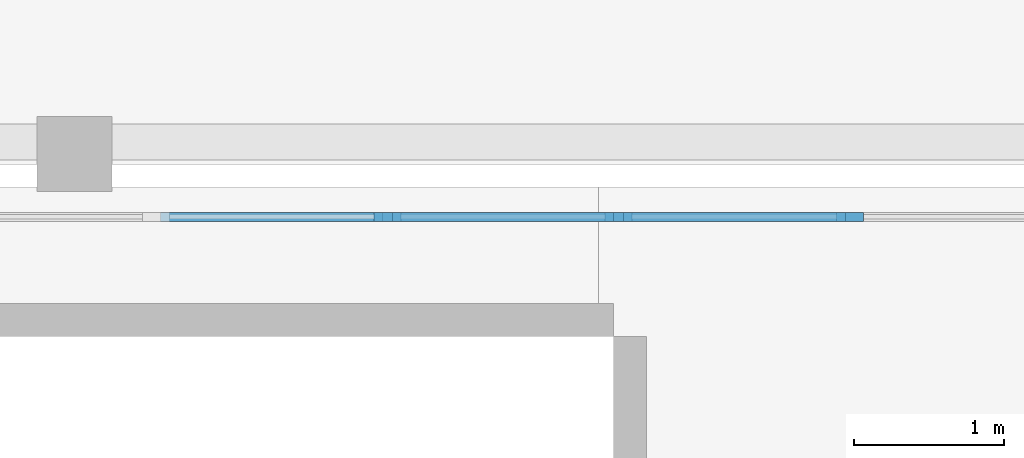
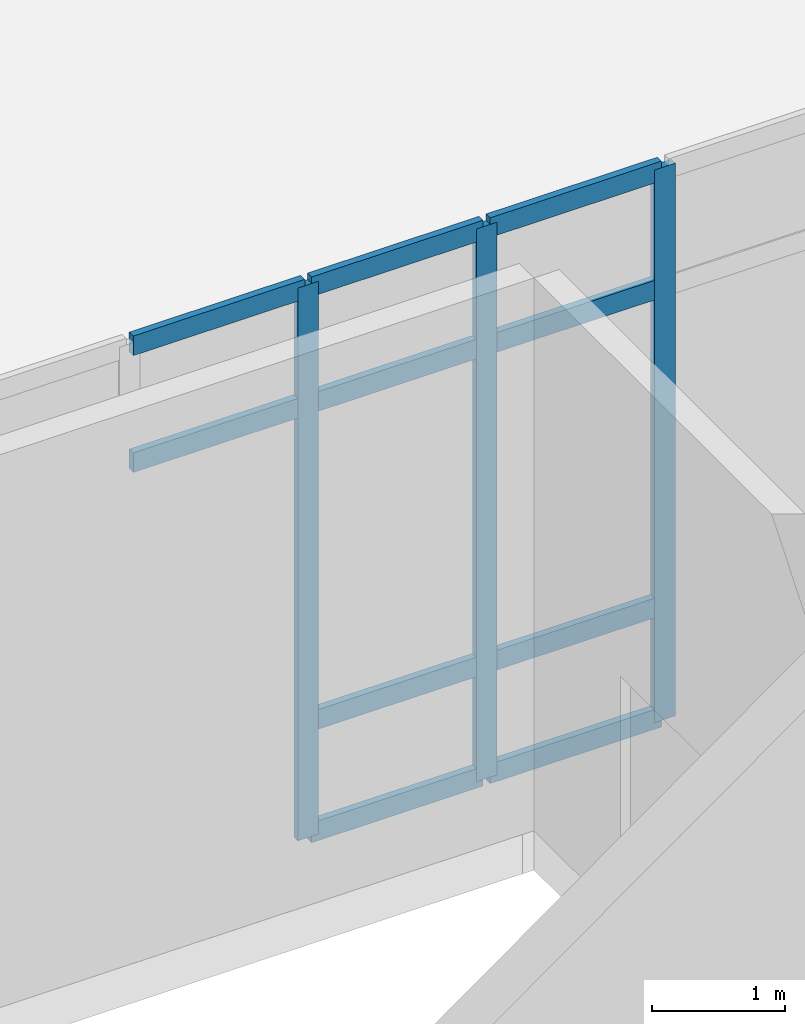
# One storey, part 24 of 55: 13 members, 1 element without a shape of its own.
"""IFC4 building model written with IfcOpenShell, lengths in metres."""

from ifc_helpers import new_model, si_unit, derived_unit, direction, frame, origin, origin_2d, place, context, subcontext, project, spatial, rectangle, extrude, material, layer, layer_set, material_profile, profile_set, type_object, element, aggregate, save


model = new_model("IFC4")

# Units and contexts
model_context = context("Model", 3, precision=1e-05, world=origin(), true_north=direction((0.0, 1.0)))
body_context = subcontext(model_context, "Body", "Model", "MODEL_VIEW")
ifc_project = project(units=[si_unit("LENGTHUNIT", "METRE"), si_unit("AREAUNIT", "SQUARE_METRE"), si_unit("VOLUMEUNIT", "CUBIC_METRE"), si_unit("PLANEANGLEUNIT", "RADIAN"), si_unit("MASSUNIT", "GRAM", prefix="KILO"), derived_unit("THERMALTRANSMITTANCEUNIT", [(si_unit("MASSUNIT", "GRAM", prefix="KILO"), 1), (si_unit("TIMEUNIT", "SECOND"), -3), (si_unit("THERMODYNAMICTEMPERATUREUNIT", "KELVIN"), -1)])], contexts=[model_context])

# Site, building, storey
site_placement = place(None, origin())
site = spatial("IfcSite", under=ifc_project, at=site_placement, CompositionType="ELEMENT")
building_placement = place(site_placement, origin())
building = spatial("IfcBuilding", under=site, at=building_placement, Name="Valcora Ridge Arena", CompositionType="ELEMENT")
storey_placement = place(building_placement, frame((0.0, 0.0, 21.0)))
storey = spatial("IfcBuildingStorey", under=building, at=storey_placement, Name="L04", CompositionType="ELEMENT", Elevation=21.0)

# Curtain wall, members
ifc_material = material(Name="Anodised dark bronze architectural aluminium 6063-T6", Category="aluminium")
ifc_layer = layer(ifc_material, 0.179931640625, Name="Anodised dark bronze architectural aluminium 6063-T6")
ifc_layer_set = layer_set([ifc_layer], Name="Anodised dark bronze architectural aluminium 6063-T6")
curtain_wall_type = type_object("IfcCurtainWallType", Name="TY-CURTAINWALL-CW-V1-GOTH-247X51", PredefinedType="NOTDEFINED", material=ifc_layer_set)
curtain_wall_placement = place(storey_placement, origin())
curtain_wall = element("IfcCurtainWall", 1, at=curtain_wall_placement, inside=storey, type_object=curtain_wall_type, Name="CW-V1-GOTH-247X51 CW-0159", PredefinedType="NOTDEFINED")
ifc_material_profile_1 = material_profile(ifc_material, rectangle(XDim=0.06005859375, YDim=0.179931640625, at=origin_2d()), Name="ALU MULLION 60x180")
ifc_profile_set_1 = profile_set([ifc_material_profile_1], Name="Anodised dark bronze architectural aluminium 6063-T6")
member_type_1 = type_object("IfcMemberType", Name="TY-MEM-CWM-60x180", PredefinedType="MULLION", material=ifc_profile_set_1)
member_1_placement = place(storey_placement, frame((60.090087890625, 108.0, 0.0), z_axis=(0.0, 0.0, 1.0), x_axis=(0.0, 1.0, 0.0)))
member_1 = element("IfcMember", 2, at=member_1_placement, type_object=member_type_1, Name="CW-0159/CWM-60x180/M10", PredefinedType="MULLION", context=body_context, shape_type="SweptSolid", body=[
    extrude(rectangle(XDim=0.06005859375, YDim=0.179931640625, at=origin_2d()), origin(), (0.0, 0.0, 1.0), 5.06005859375),
])
member_2_placement = place(storey_placement, frame((61.635009765625, 108.0, 0.0), z_axis=(0.0, 0.0, 1.0), x_axis=(0.0, 1.0, 0.0)))
member_2 = element("IfcMember", 3, at=member_2_placement, type_object=member_type_1, Name="CW-0159/CWM-60x180/M11", PredefinedType="MULLION", context=body_context, shape_type="SweptSolid", body=[
    extrude(rectangle(XDim=0.06005859375, YDim=0.179931640625, at=origin_2d()), origin(), (0.0, 0.0, 1.0), 5.06005859375),
])
member_3_placement = place(storey_placement, frame((63.179931640625, 108.0, 0.0), z_axis=(0.0, 0.0, 1.0), x_axis=(0.0, 1.0, 0.0)))
member_3 = element("IfcMember", 4, at=member_3_placement, type_object=member_type_1, Name="CW-0159/CWM-60x180/M12", PredefinedType="MULLION", context=body_context, shape_type="SweptSolid", body=[
    extrude(rectangle(XDim=0.06005859375, YDim=0.179931640625, at=origin_2d()), origin(), (0.0, 0.0, 1.0), 5.06005859375),
])
ifc_material_profile_2 = material_profile(ifc_material, rectangle(XDim=0.06005859375, YDim=0.179931640625, at=origin_2d()), Name="ALU TRANSOM 60x180")
ifc_profile_set_2 = profile_set([ifc_material_profile_2], Name="Anodised dark bronze architectural aluminium 6063-T6")
member_type_2 = type_object("IfcMemberType", Name="TY-MEM-CWT-60x180", PredefinedType="USERDEFINED", material=ifc_profile_set_2)
member_4_placement = place(storey_placement, frame((58.574951171875, 108.0, 3.9599609375), z_axis=(1.0, 0.0, 0.0), x_axis=(0.0, 1.0, 0.0)))
member_4 = element("IfcMember", 5, at=member_4_placement, type_object=member_type_2, Name="CW-0159/CWT-60x180/T09-02", ObjectType="TRANSOM", PredefinedType="USERDEFINED", context=body_context, shape_type="SweptSolid", body=[
    extrude(rectangle(XDim=0.06005859375, YDim=0.179931640625, at=origin_2d()), origin(), (0.0, 0.0, 1.0), 1.485107421875),
])
member_5_placement = place(storey_placement, frame((58.574951171875, 108.0, 5.030029296875), z_axis=(1.0, 0.0, 0.0), x_axis=(0.0, 1.0, 0.0)))
member_5 = element("IfcMember", 6, at=member_5_placement, type_object=member_type_2, Name="CW-0159/CWT-60x180/T09-03", ObjectType="TRANSOM", PredefinedType="USERDEFINED", context=body_context, shape_type="SweptSolid", body=[
    extrude(rectangle(XDim=0.06005859375, YDim=0.179931640625, at=origin_2d()), origin(), (0.0, 0.0, 1.0), 1.485107421875),
])
member_6_placement = place(storey_placement, frame((60.1201171875, 108.0, 0.030029296875), z_axis=(1.0, 0.0, 0.0), x_axis=(0.0, 1.0, 0.0)))
member_6 = element("IfcMember", 7, at=member_6_placement, type_object=member_type_2, Name="CW-0159/CWT-60x180/T10-00", ObjectType="TRANSOM", PredefinedType="USERDEFINED", context=body_context, shape_type="SweptSolid", body=[
    extrude(rectangle(XDim=0.06005859375, YDim=0.179931640625, at=origin_2d()), origin(), (0.0, 0.0, 1.0), 1.48486328125),
])
member_7_placement = place(storey_placement, frame((60.1201171875, 108.0, 1.050048828125), z_axis=(1.0, 0.0, 0.0), x_axis=(0.0, 1.0, 0.0)))
member_7 = element("IfcMember", 8, at=member_7_placement, type_object=member_type_2, Name="CW-0159/CWT-60x180/T10-01", ObjectType="TRANSOM", PredefinedType="USERDEFINED", context=body_context, shape_type="SweptSolid", body=[
    extrude(rectangle(XDim=0.06005859375, YDim=0.179931640625, at=origin_2d()), origin(), (0.0, 0.0, 1.0), 1.48486328125),
])
member_8_placement = place(storey_placement, frame((60.1201171875, 108.0, 3.9599609375), z_axis=(1.0, 0.0, 0.0), x_axis=(0.0, 1.0, 0.0)))
member_8 = element("IfcMember", 9, at=member_8_placement, type_object=member_type_2, Name="CW-0159/CWT-60x180/T10-02", ObjectType="TRANSOM", PredefinedType="USERDEFINED", context=body_context, shape_type="SweptSolid", body=[
    extrude(rectangle(XDim=0.06005859375, YDim=0.179931640625, at=origin_2d()), origin(), (0.0, 0.0, 1.0), 1.48486328125),
])
member_9_placement = place(storey_placement, frame((60.1201171875, 108.0, 5.030029296875), z_axis=(1.0, 0.0, 0.0), x_axis=(0.0, 1.0, 0.0)))
member_9 = element("IfcMember", 10, at=member_9_placement, type_object=member_type_2, Name="CW-0159/CWT-60x180/T10-03", ObjectType="TRANSOM", PredefinedType="USERDEFINED", context=body_context, shape_type="SweptSolid", body=[
    extrude(rectangle(XDim=0.06005859375, YDim=0.179931640625, at=origin_2d()), origin(), (0.0, 0.0, 1.0), 1.48486328125),
])
member_10_placement = place(storey_placement, frame((61.6650390625, 108.0, 0.030029296875), z_axis=(1.0, 0.0, 0.0), x_axis=(0.0, 1.0, 0.0)))
member_10 = element("IfcMember", 11, at=member_10_placement, type_object=member_type_2, Name="CW-0159/CWT-60x180/T11-00", ObjectType="TRANSOM", PredefinedType="USERDEFINED", context=body_context, shape_type="SweptSolid", body=[
    extrude(rectangle(XDim=0.06005859375, YDim=0.179931640625, at=origin_2d()), origin(), (0.0, 0.0, 1.0), 1.48486328125),
])
member_11_placement = place(storey_placement, frame((61.6650390625, 108.0, 1.050048828125), z_axis=(1.0, 0.0, 0.0), x_axis=(0.0, 1.0, 0.0)))
member_11 = element("IfcMember", 12, at=member_11_placement, type_object=member_type_2, Name="CW-0159/CWT-60x180/T11-01", ObjectType="TRANSOM", PredefinedType="USERDEFINED", context=body_context, shape_type="SweptSolid", body=[
    extrude(rectangle(XDim=0.06005859375, YDim=0.179931640625, at=origin_2d()), origin(), (0.0, 0.0, 1.0), 1.48486328125),
])
member_12_placement = place(storey_placement, frame((61.6650390625, 108.0, 3.9599609375), z_axis=(1.0, 0.0, 0.0), x_axis=(0.0, 1.0, 0.0)))
member_12 = element("IfcMember", 13, at=member_12_placement, type_object=member_type_2, Name="CW-0159/CWT-60x180/T11-02", ObjectType="TRANSOM", PredefinedType="USERDEFINED", context=body_context, shape_type="SweptSolid", body=[
    extrude(rectangle(XDim=0.06005859375, YDim=0.179931640625, at=origin_2d()), origin(), (0.0, 0.0, 1.0), 1.48486328125),
])
member_13_placement = place(storey_placement, frame((61.6650390625, 108.0, 5.030029296875), z_axis=(1.0, 0.0, 0.0), x_axis=(0.0, 1.0, 0.0)))
member_13 = element("IfcMember", 14, at=member_13_placement, type_object=member_type_2, Name="CW-0159/CWT-60x180/T11-03", ObjectType="TRANSOM", PredefinedType="USERDEFINED", context=body_context, shape_type="SweptSolid", body=[
    extrude(rectangle(XDim=0.06005859375, YDim=0.179931640625, at=origin_2d()), origin(), (0.0, 0.0, 1.0), 1.48486328125),
])
aggregate(curtain_wall, [member_1, member_2, member_3, member_4, member_5, member_6, member_7, member_8, member_9, member_10, member_11, member_12, member_13])

save(model, "model.ifc")
